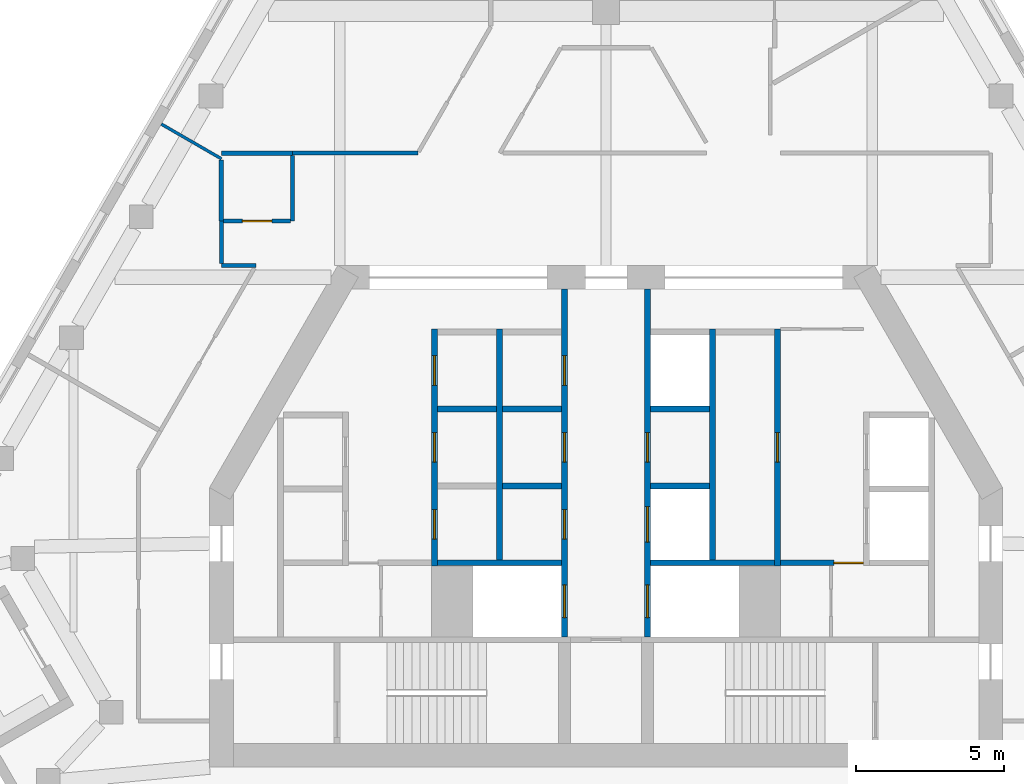
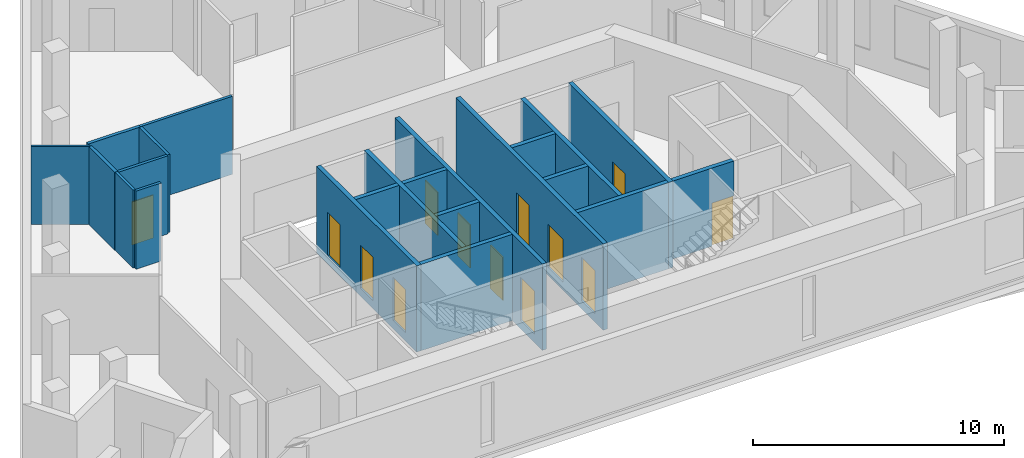
# One storey, part 3 of 8: 22 walls, 13 doors, 13 openings.
"""IFC4 building model written with IfcOpenShell, lengths in metres."""

import ifcopenshell
import ifcopenshell.guid

model = None  # the IFC model being written
_history = None  # IfcOwnerHistory: only IFC2X3 demands one
_inside = {}  # id of a spatial element -> (the spatial element, [elements in it])
_under = {}  # id of a project, library or spatial element -> (it, [spatial elements below it])
_declared = {}  # id of a project -> (the project, [libraries it declares])
_typed = {}  # id of a type object -> (the type object, [elements of that type])
_made_of = {}  # id of a material, layer set ... -> (it, [elements and type objects made of it])


def new_model(schema):
    """Start an empty IFC model of exactly this schema.

    Asked for "IFC4X3", IfcOpenShell would pick the latest addendum, in which some entities
    have other attributes; the version numbers below select the first issue.
    IFC2X3 requires an IfcOwnerHistory on every rooted entity: one is made here for all.
    """
    global model, _history
    if schema == "IFC4X3":
        model = ifcopenshell.file(schema_version=(4, 3, 0, 0))
    else:
        model = ifcopenshell.file(schema=schema)
    _inside.clear()
    _under.clear()
    _declared.clear()
    _typed.clear()
    _made_of.clear()
    _history = None
    if model.schema == "IFC2X3":
        org = make("IfcOrganization", Name="unknown")
        user = make(
            "IfcPersonAndOrganization",
            ThePerson=make("IfcPerson", FamilyName="unknown"),
            TheOrganization=org,
        )
        app = make(
            "IfcApplication",
            ApplicationDeveloper=org,
            Version="unknown",
            ApplicationFullName="unknown",
            ApplicationIdentifier="unknown",
        )
        _history = make(
            "IfcOwnerHistory",
            OwningUser=user,
            OwningApplication=app,
            ChangeAction="ADDED",
            CreationDate=0,
        )
    return model


def make(cls, **values):
    """One entity of the class cls with the attributes given. An attribute that is None is left unset."""
    return model.create_entity(
        cls, **{name: value for name, value in values.items() if value is not None}
    )


def rooted(cls, **values):
    """An entity with a GlobalId (a new one), such as an element, a storey or a relation."""
    return make(cls, GlobalId=ifcopenshell.guid.new(), OwnerHistory=_history, **values)


def si_unit(unit_type, name, prefix=None):
    """IfcSIUnit, for example si_unit("LENGTHUNIT", "METRE", prefix="MILLI")."""
    return make("IfcSIUnit", UnitType=unit_type, Prefix=prefix, Name=name)


def assignment(units):
    """IfcUnitAssignment: the units of a project."""
    return None if units is None else make("IfcUnitAssignment", Units=units)


def point(xyz):
    """IfcCartesianPoint."""
    return None if xyz is None else make("IfcCartesianPoint", Coordinates=xyz)


def direction(xyz):
    """IfcDirection."""
    return None if xyz is None else make("IfcDirection", DirectionRatios=xyz)


def frame(location, z_axis=None, x_axis=None):
    """IfcAxis2Placement3D, a coordinate frame: its origin and axes. An axis left out is left unset."""
    return make(
        "IfcAxis2Placement3D",
        Location=point(location),
        Axis=direction(z_axis),
        RefDirection=direction(x_axis),
    )


def frame_2d(location, x_axis=None):
    """IfcAxis2Placement2D, a coordinate frame in the plane: its origin and x axis."""
    return make(
        "IfcAxis2Placement2D", Location=point(location), RefDirection=direction(x_axis)
    )


def origin():
    """The frame at (0, 0, 0) with its axes left unset."""
    return frame((0.0, 0.0, 0.0))


def place(relative_to, where):
    """IfcLocalPlacement: puts the frame where relative to a parent placement (None: the world)."""
    return make(
        "IfcLocalPlacement", PlacementRelTo=relative_to, RelativePlacement=where
    )


def context(
    kind, dimensions, precision=None, world=None, true_north=None, identifier=None
):
    """IfcGeometricRepresentationContext, for example the 3D "Model" context."""
    return make(
        "IfcGeometricRepresentationContext",
        ContextIdentifier=identifier,
        ContextType=kind,
        CoordinateSpaceDimension=dimensions,
        Precision=precision,
        WorldCoordinateSystem=world,
        TrueNorth=true_north,
    )


def subcontext(parent, identifier, kind, view, scale=None):
    """IfcGeometricRepresentationSubContext, for example "Body" below "Model"."""
    return make(
        "IfcGeometricRepresentationSubContext",
        ContextIdentifier=identifier,
        ContextType=kind,
        ParentContext=parent,
        TargetScale=scale,
        TargetView=view,
    )


def project(units=None, contexts=None):
    """IfcProject with its units and contexts."""
    return rooted(
        "IfcProject",
        Name="project",
        RepresentationContexts=contexts,
        UnitsInContext=assignment(units),
    )


def spatial(cls, under=None, at=None, **own):
    """A site, building, storey or space (cls), placed at a placement, below another one or the project."""
    s = rooted(cls, ObjectPlacement=at, **own)
    if under is not None:
        _under.setdefault(under.id(), (under, []))[1].append(s)
    return s


def profile(cls, at=None, kind="AREA", **sizes):
    """A parametric profile (cls). Its sizes go by their IFC names, for example OverallWidth=200.0."""
    return make(cls, ProfileType=kind, Position=at, **sizes)


def rectangle(**sizes):
    """IfcRectangleProfileDef."""
    return profile("IfcRectangleProfileDef", **sizes)


def extrude(swept, where, along, depth):
    """IfcExtrudedAreaSolid: the profile swept, set in the frame where, extruded along a direction by depth."""
    return make(
        "IfcExtrudedAreaSolid",
        SweptArea=swept,
        Position=where,
        ExtrudedDirection=direction(along),
        Depth=depth,
    )


def shape(context_of_items, identifier, shape_type, items):
    """IfcShapeRepresentation: the items that make up one representation, for example the "Body"."""
    return make(
        "IfcShapeRepresentation",
        ContextOfItems=context_of_items,
        RepresentationIdentifier=identifier,
        RepresentationType=shape_type,
        Items=items,
    )


def material(Name=None, Category=None):
    """IfcMaterial."""
    return make("IfcMaterial", Name=Name, Category=Category)


def layer(
    of_material, thickness, ventilated=None, Name=None, Category=None, Priority=None
):
    """IfcMaterialLayer: one layer of a wall or slab, of a material (None: an air gap)."""
    return make(
        "IfcMaterialLayer",
        Material=of_material,
        LayerThickness=thickness,
        IsVentilated=ventilated,
        Name=Name,
        Category=Category,
        Priority=Priority,
    )


def layer_set(layers, Name=None):
    """IfcMaterialLayerSet."""
    return make("IfcMaterialLayerSet", MaterialLayers=layers, LayerSetName=Name)


def made_of(thing, what):
    """Note that an element or type object is made of a material, layer set ...; save() writes the relation."""
    if what is not None:
        _made_of.setdefault(what.id(), (what, []))[1].append(thing)
    return thing


def type_object(cls, material=None, **own):
    """A type object (cls), such as IfcWallType, which elements share."""
    return made_of(rooted(cls, **own), material)


def element(
    cls,
    number,
    at=None,
    inside=None,
    cuts=None,
    type_object=None,
    material=None,
    context=None,
    identifier="Body",
    shape_type=None,
    held_by="IfcProductDefinitionShape",
    body=None,
    shapes=None,
    **own,
):
    """One element of the class cls, such as IfcWall. Its Tag is "e" and its number.

    at: its placement. inside: the storey or other place that contains it. cuts: it is an
    opening in that element (IfcRelVoidsElement). A single representation is given by context,
    identifier, shape_type and body (its items); several are given by shapes. held_by: the class
    of the entity that holds the representations. save() writes the other relations.
    """
    e = rooted(cls, Tag="e%d" % number, ObjectPlacement=at, **own)
    if body is not None:
        shapes = [shape(context, identifier, shape_type, body)]
    if shapes is not None:
        e.Representation = make(held_by, Representations=shapes)
    if inside is not None:
        _inside.setdefault(inside.id(), (inside, []))[1].append(e)
    if cuts is not None:
        rooted(
            "IfcRelVoidsElement", RelatingBuildingElement=cuts, RelatedOpeningElement=e
        )
    if type_object is not None:
        _typed.setdefault(type_object.id(), (type_object, []))[1].append(e)
    return made_of(e, material)


def fill(opening, filler):
    """IfcRelFillsElement: the door or window that sits in an opening."""
    return rooted(
        "IfcRelFillsElement",
        RelatingOpeningElement=opening,
        RelatedBuildingElement=filler,
    )


def aggregate(whole, parts):
    """IfcRelAggregates: a whole, such as a stair, and the parts it consists of."""
    return rooted("IfcRelAggregates", RelatingObject=whole, RelatedObjects=parts)


def save(model, path):
    """Write the relations noted so far, then the file.

    IfcRelAggregates (storeys below a building ...), IfcRelContainedInSpatialStructure (elements
    in a storey), IfcRelDefinesByType, IfcRelAssociatesMaterial and IfcRelDeclares: one each for
    every whole, place, type object, material and project.
    """
    for whole, parts in _under.values():
        aggregate(whole, parts)
    for where, things in _inside.values():
        rooted(
            "IfcRelContainedInSpatialStructure",
            RelatedElements=things,
            RelatingStructure=where,
        )
    for kind, things in _typed.values():
        rooted("IfcRelDefinesByType", RelatedObjects=things, RelatingType=kind)
    for what, things in _made_of.values():
        rooted("IfcRelAssociatesMaterial", RelatedObjects=things, RelatingMaterial=what)
    for by, libraries in _declared.values():
        rooted("IfcRelDeclares", RelatingContext=by, RelatedDefinitions=libraries)
    model.write(path)


model = new_model("IFC4")

# Units and contexts
model_context = context("Model", 3, precision=1e-05, world=origin(), true_north=direction((0.0, 1.0)))
body_context = subcontext(model_context, "Body", "Model", "MODEL_VIEW")
ifc_project = project(units=[si_unit("LENGTHUNIT", "METRE"), si_unit("AREAUNIT", "SQUARE_METRE"), si_unit("VOLUMEUNIT", "CUBIC_METRE"), si_unit("PLANEANGLEUNIT", "RADIAN"), si_unit("MASSUNIT", "GRAM", prefix="KILO")], contexts=[model_context])

# Site, building, storey
site_placement = place(None, origin())
site = spatial("IfcSite", under=ifc_project, at=site_placement, CompositionType="ELEMENT")
building_placement = place(site_placement, origin())
building = spatial("IfcBuilding", under=site, at=building_placement, Name="Fogline Exchange Tower", CompositionType="ELEMENT")
storey_placement = place(building_placement, frame((0.0, 0.0, 322.5)))
storey = spatial("IfcBuildingStorey", under=building, at=storey_placement, Name="L73", CompositionType="ELEMENT", Elevation=322.5)

# Walls
ifc_material_1 = material(Name="Concrete C40", Category="concrete")
ifc_layer_1 = layer(ifc_material_1, 0.199951171875)
ifc_layer_set_1 = layer_set([ifc_layer_1], Name="CW20")
wall_type_1 = type_object("IfcWallType", Name="CW20", PredefinedType="SOLIDWALL", material=ifc_layer_set_1)
for number, where, z_axis, x_axis, name in (
    (1, (-5.699951171875, 13.550048828125, 0.0), (0.0, 0.0, 1.0), (1.0, 0.0, 0.0), "Service room wall"),
    (2, (-3.5, 10.949951171875, 0.0), (0.0, 0.0, 1.0), (1.0, 0.0, 0.0), "Service room wall"),
    (3, (-3.5, 13.550048828125, 0.0), (0.0, 0.0, 1.0), (1.0, 0.0, 0.0), "Service room wall"),
):
    element("IfcWall", number, at=place(storey_placement, frame(where, z_axis=z_axis, x_axis=x_axis)), inside=storey, type_object=wall_type_1, Name=name, PredefinedType="SOLIDWALL", context=body_context, shape_type="SweptSolid", body=[
        extrude(rectangle(XDim=2.0, YDim=0.199951171875, at=frame_2d((1.0, 0.0))), origin(), (0.0, 0.0, 1.0), 3.800048828125),
    ])

# Wall, opening, door
wall_1_placement = place(storey_placement, frame((5.89990234375, 8.35009765625, 0.0), z_axis=(0.0, 0.0, 1.0), x_axis=(1.0, 0.0, 0.0)))
wall_1 = element("IfcWall", 4, at=wall_1_placement, inside=storey, type_object=wall_type_1, Name="WC wall", PredefinedType="SOLIDWALL", context=body_context, shape_type="SweptSolid", body=[
    extrude(rectangle(XDim=2.800048828125, YDim=0.199951171875, at=frame_2d((1.39990234375, 0.0))), origin(), (0.0, 0.0, 1.0), 3.800048828125),
])
opening_1_placement = place(wall_1_placement, frame((1.800048828125, 0.0, 0.0)))
opening_1 = element("IfcOpeningElement", 5, at=opening_1_placement, cuts=wall_1, Name="Opening T23-C018", PredefinedType="OPENING", context=body_context, shape_type="SweptSolid", body=[
    extrude(rectangle(XDim=1.0, YDim=2.10009765625, at=frame_2d((0.5, 1.050048828125))), frame((0.0, 0.10986328125, 0.0), z_axis=(0.0, -1.0, 0.0), x_axis=(1.0, 0.0, 0.0)), (0.0, 0.0, 1.0), 0.219970703125),
])
ifc_material_2 = material(Name="Steel and timber fire door", Category="steel")
door_type_1 = type_object("IfcDoorType", Name="D-WC1", OperationType="SINGLE_SWING_LEFT", PredefinedType="DOOR", material=ifc_material_2)
door_1_placement = place(opening_1_placement, frame((1.0, 0.0, 0.0), z_axis=(0.0, 0.0, 1.0), x_axis=(-1.0, 0.0, 0.0)))
door_1 = element("IfcDoor", 6, at=door_1_placement, inside=storey, type_object=door_type_1, Name="Door to Women's WC", OperationType="SINGLE_SWING_LEFT", OverallHeight=2.10009765625, OverallWidth=1.0, PredefinedType="DOOR", context=body_context, shape_type="SweptSolid", body=[
    extrude(rectangle(XDim=1.0, YDim=2.10009765625, at=frame_2d((0.5, 1.050048828125))), frame((0.0, 0.02490234375, 0.0), z_axis=(0.0, -1.0, 0.0), x_axis=(1.0, 0.0, 0.0)), (0.0, 0.0, 1.0), 0.050048828125),
])
fill(opening_1, door_1)

# Wall, openings, doors
ifc_layer_2 = layer(ifc_material_1, 0.199951171875)
ifc_layer_set_2 = layer_set([ifc_layer_2], Name="CW20S")
wall_type_2 = type_object("IfcWallType", Name="CW20S", PredefinedType="SOLIDWALL", material=ifc_layer_set_2)
wall_2_placement = place(storey_placement, frame((-5.800048828125, 8.25, -0.39990234375), z_axis=(0.0, 0.0, 1.0), x_axis=(0.0, 1.0, 0.0)))
wall_2 = element("IfcWall", 7, at=wall_2_placement, inside=storey, type_object=wall_type_2, Name="Lift shaft wall", PredefinedType="SOLIDWALL", context=body_context, shape_type="SweptSolid", body=[
    extrude(rectangle(XDim=8.0, YDim=0.199951171875, at=frame_2d((4.0, 0.0))), origin(), (0.0, 0.0, 1.0), 4.199951171875),
])
opening_2_placement = place(wall_2_placement, frame((0.89990234375, 0.0, 0.39990234375)))
opening_2 = element("IfcOpeningElement", 8, at=opening_2_placement, cuts=wall_2, Name="Opening T23-C003", PredefinedType="OPENING", context=body_context, shape_type="SweptSolid", body=[
    extrude(rectangle(XDim=1.0, YDim=2.10009765625, at=frame_2d((0.5, 1.050048828125))), frame((0.0, 0.10986328125, 0.0), z_axis=(0.0, -1.0, 0.0), x_axis=(1.0, 0.0, 0.0)), (0.0, 0.0, 1.0), 0.219970703125),
])
opening_3_placement = place(wall_2_placement, frame((3.5, 0.0, 0.39990234375)))
opening_3 = element("IfcOpeningElement", 9, at=opening_3_placement, cuts=wall_2, Name="Opening T23-C004", PredefinedType="OPENING", context=body_context, shape_type="SweptSolid", body=[
    extrude(rectangle(XDim=1.0, YDim=2.10009765625, at=frame_2d((0.5, 1.050048828125))), frame((0.0, 0.10986328125, 0.0), z_axis=(0.0, -1.0, 0.0), x_axis=(1.0, 0.0, 0.0)), (0.0, 0.0, 1.0), 0.219970703125),
])
opening_4_placement = place(wall_2_placement, frame((6.10009765625, 0.0, 0.39990234375)))
opening_4 = element("IfcOpeningElement", 10, at=opening_4_placement, cuts=wall_2, Name="Opening T23-C005", PredefinedType="OPENING", context=body_context, shape_type="SweptSolid", body=[
    extrude(rectangle(XDim=1.0, YDim=2.10009765625, at=frame_2d((0.5, 1.050048828125))), frame((0.0, 0.10986328125, 0.0), z_axis=(0.0, -1.0, 0.0), x_axis=(1.0, 0.0, 0.0)), (0.0, 0.0, 1.0), 0.219970703125),
])
door_type_2 = type_object("IfcDoorType", Name="D-RM1", OperationType="SINGLE_SWING_LEFT", PredefinedType="DOOR", material=ifc_material_2)
door_2_placement = place(opening_2_placement, frame((1.0, 0.0, 0.0), z_axis=(0.0, 0.0, 1.0), x_axis=(-1.0, 0.0, 0.0)))
door_2 = element("IfcDoor", 11, at=door_2_placement, inside=storey, type_object=door_type_2, Name="Door to Cable Store", OperationType="SINGLE_SWING_LEFT", OverallHeight=2.10009765625, OverallWidth=1.0, PredefinedType="DOOR", context=body_context, shape_type="SweptSolid", body=[
    extrude(rectangle(XDim=1.0, YDim=2.10009765625, at=frame_2d((0.5, 1.050048828125))), frame((0.0, 0.02490234375, 0.0), z_axis=(0.0, -1.0, 0.0), x_axis=(1.0, 0.0, 0.0)), (0.0, 0.0, 1.0), 0.050048828125),
])
fill(opening_2, door_2)
door_3_placement = place(opening_3_placement, frame((1.0, 0.0, 0.0), z_axis=(0.0, 0.0, 1.0), x_axis=(-1.0, 0.0, 0.0)))
door_3 = element("IfcDoor", 12, at=door_3_placement, inside=storey, type_object=door_type_2, Name="Door to Server Room", OperationType="SINGLE_SWING_RIGHT", OverallHeight=2.10009765625, OverallWidth=1.0, PredefinedType="DOOR", context=body_context, shape_type="SweptSolid", body=[
    extrude(rectangle(XDim=1.0, YDim=2.10009765625, at=frame_2d((0.5, 1.050048828125))), frame((0.0, 0.02490234375, 0.0), z_axis=(0.0, -1.0, 0.0), x_axis=(1.0, 0.0, 0.0)), (0.0, 0.0, 1.0), 0.050048828125),
])
fill(opening_3, door_3)
door_4_placement = place(opening_4_placement, frame((1.0, 0.0, 0.0), z_axis=(0.0, 0.0, 1.0), x_axis=(-1.0, 0.0, 0.0)))
door_4 = element("IfcDoor", 13, at=door_4_placement, inside=storey, type_object=door_type_2, Name="Door to Archive Store", OperationType="SINGLE_SWING_RIGHT", OverallHeight=2.10009765625, OverallWidth=1.0, PredefinedType="DOOR", context=body_context, shape_type="SweptSolid", body=[
    extrude(rectangle(XDim=1.0, YDim=2.10009765625, at=frame_2d((0.5, 1.050048828125))), frame((0.0, 0.02490234375, 0.0), z_axis=(0.0, -1.0, 0.0), x_axis=(1.0, 0.0, 0.0)), (0.0, 0.0, 1.0), 0.050048828125),
])
fill(opening_4, door_4)

# Wall, opening, door
wall_3_placement = place(storey_placement, frame((5.800048828125, 8.25, -0.39990234375), z_axis=(0.0, 0.0, 1.0), x_axis=(0.0, 1.0, 0.0)))
wall_3 = element("IfcWall", 14, at=wall_3_placement, inside=storey, type_object=wall_type_2, Name="Lift shaft wall", PredefinedType="SOLIDWALL", context=body_context, shape_type="SweptSolid", body=[
    extrude(rectangle(XDim=8.0, YDim=0.199951171875, at=frame_2d((4.0, 0.0))), origin(), (0.0, 0.0, 1.0), 4.199951171875),
])
opening_5_placement = place(wall_3_placement, frame((3.5, 0.0, 0.39990234375)))
opening_5 = element("IfcOpeningElement", 15, at=opening_5_placement, cuts=wall_3, Name="Opening T23-C009", PredefinedType="OPENING", context=body_context, shape_type="SweptSolid", body=[
    extrude(rectangle(XDim=1.0, YDim=2.10009765625, at=frame_2d((0.5, 1.050048828125))), frame((0.0, 0.10986328125, 0.0), z_axis=(0.0, -1.0, 0.0), x_axis=(1.0, 0.0, 0.0)), (0.0, 0.0, 1.0), 0.219970703125),
])
door_5_placement = place(opening_5_placement, origin())
door_5 = element("IfcDoor", 16, at=door_5_placement, inside=storey, type_object=door_type_2, Name="Door to Pantry", OperationType="SINGLE_SWING_LEFT", OverallHeight=2.10009765625, OverallWidth=1.0, PredefinedType="DOOR", context=body_context, shape_type="SweptSolid", body=[
    extrude(rectangle(XDim=1.0, YDim=2.10009765625, at=frame_2d((0.5, 1.050048828125))), frame((0.0, 0.02490234375, 0.0), z_axis=(0.0, -1.0, 0.0), x_axis=(1.0, 0.0, 0.0)), (0.0, 0.0, 1.0), 0.050048828125),
])
fill(opening_5, door_5)

# Walls
for number, where, z_axis, x_axis, name in (
    (17, (-3.60009765625, 8.449951171875, -0.39990234375), (0.0, 0.0, 1.0), (0.0, 1.0, 0.0), "Lift shaft wall"),
    (18, (3.60009765625, 8.449951171875, -0.39990234375), (0.0, 0.0, 1.0), (0.0, 1.0, 0.0), "Lift shaft wall"),
):
    element("IfcWall", number, at=place(storey_placement, frame(where, z_axis=z_axis, x_axis=x_axis)), inside=storey, type_object=wall_type_2, Name=name, PredefinedType="SOLIDWALL", context=body_context, shape_type="SweptSolid", body=[
        extrude(rectangle(XDim=7.800048828125, YDim=0.199951171875, at=frame_2d((3.89990234375, 0.0))), origin(), (0.0, 0.0, 1.0), 4.199951171875),
    ])

# Wall, openings, doors
wall_4_placement = place(storey_placement, frame((-1.39990234375, 5.85009765625, -0.39990234375), z_axis=(0.0, 0.0, 1.0), x_axis=(0.0, 1.0, 0.0)))
wall_4 = element("IfcWall", 19, at=wall_4_placement, inside=storey, type_object=wall_type_2, Name="Lift lobby wall", PredefinedType="SOLIDWALL", context=body_context, shape_type="SweptSolid", body=[
    extrude(rectangle(XDim=11.75, YDim=0.199951171875, at=frame_2d((5.875, 0.0))), origin(), (0.0, 0.0, 1.0), 4.199951171875),
])
opening_6_placement = place(wall_4_placement, frame((0.64990234375, 0.0, 0.39990234375)))
opening_6 = element("IfcOpeningElement", 20, at=opening_6_placement, cuts=wall_4, Name="Opening T23-LD01", PredefinedType="OPENING", context=body_context, shape_type="SweptSolid", body=[
    extrude(rectangle(XDim=1.10009765625, YDim=2.10009765625, at=frame_2d((0.550048828125, 1.050048828125))), frame((0.0, 0.10986328125, 0.0), z_axis=(0.0, -1.0, 0.0), x_axis=(1.0, 0.0, 0.0)), (0.0, 0.0, 1.0), 0.219970703125),
])
opening_7_placement = place(wall_4_placement, frame((3.300048828125, 0.0, 0.39990234375)))
opening_7 = element("IfcOpeningElement", 21, at=opening_7_placement, cuts=wall_4, Name="Opening T23-C006", PredefinedType="OPENING", context=body_context, shape_type="SweptSolid", body=[
    extrude(rectangle(XDim=1.0, YDim=2.10009765625, at=frame_2d((0.5, 1.050048828125))), frame((0.0, 0.10986328125, 0.0), z_axis=(0.0, -1.0, 0.0), x_axis=(1.0, 0.0, 0.0)), (0.0, 0.0, 1.0), 0.219970703125),
])
opening_8_placement = place(wall_4_placement, frame((5.89990234375, 0.0, 0.39990234375)))
opening_8 = element("IfcOpeningElement", 22, at=opening_8_placement, cuts=wall_4, Name="Opening T23-C007", PredefinedType="OPENING", context=body_context, shape_type="SweptSolid", body=[
    extrude(rectangle(XDim=1.0, YDim=2.10009765625, at=frame_2d((0.5, 1.050048828125))), frame((0.0, 0.10986328125, 0.0), z_axis=(0.0, -1.0, 0.0), x_axis=(1.0, 0.0, 0.0)), (0.0, 0.0, 1.0), 0.219970703125),
])
opening_9_placement = place(wall_4_placement, frame((8.5, 0.0, 0.39990234375)))
opening_9 = element("IfcOpeningElement", 23, at=opening_9_placement, cuts=wall_4, Name="Opening T23-C008", PredefinedType="OPENING", context=body_context, shape_type="SweptSolid", body=[
    extrude(rectangle(XDim=1.0, YDim=2.10009765625, at=frame_2d((0.5, 1.050048828125))), frame((0.0, 0.10986328125, 0.0), z_axis=(0.0, -1.0, 0.0), x_axis=(1.0, 0.0, 0.0)), (0.0, 0.0, 1.0), 0.219970703125),
])
door_6_placement = place(opening_7_placement, origin())
door_6 = element("IfcDoor", 24, at=door_6_placement, inside=storey, type_object=door_type_2, Name="Door to Library Store", OperationType="SINGLE_SWING_LEFT", OverallHeight=2.10009765625, OverallWidth=1.0, PredefinedType="DOOR", context=body_context, shape_type="SweptSolid", body=[
    extrude(rectangle(XDim=1.0, YDim=2.10009765625, at=frame_2d((0.5, 1.050048828125))), frame((0.0, 0.02490234375, 0.0), z_axis=(0.0, -1.0, 0.0), x_axis=(1.0, 0.0, 0.0)), (0.0, 0.0, 1.0), 0.050048828125),
])
fill(opening_7, door_6)
door_7_placement = place(opening_8_placement, origin())
door_7 = element("IfcDoor", 25, at=door_7_placement, inside=storey, type_object=door_type_2, Name="Door to Stationery Store", OperationType="SINGLE_SWING_LEFT", OverallHeight=2.10009765625, OverallWidth=1.0, PredefinedType="DOOR", context=body_context, shape_type="SweptSolid", body=[
    extrude(rectangle(XDim=1.0, YDim=2.10009765625, at=frame_2d((0.5, 1.050048828125))), frame((0.0, 0.02490234375, 0.0), z_axis=(0.0, -1.0, 0.0), x_axis=(1.0, 0.0, 0.0)), (0.0, 0.0, 1.0), 0.050048828125),
])
fill(opening_8, door_7)
door_8_placement = place(opening_9_placement, origin())
door_8 = element("IfcDoor", 26, at=door_8_placement, inside=storey, type_object=door_type_2, Name="Door to Records Store", OperationType="SINGLE_SWING_LEFT", OverallHeight=2.10009765625, OverallWidth=1.0, PredefinedType="DOOR", context=body_context, shape_type="SweptSolid", body=[
    extrude(rectangle(XDim=1.0, YDim=2.10009765625, at=frame_2d((0.5, 1.050048828125))), frame((0.0, 0.02490234375, 0.0), z_axis=(0.0, -1.0, 0.0), x_axis=(1.0, 0.0, 0.0)), (0.0, 0.0, 1.0), 0.050048828125),
])
fill(opening_9, door_8)
door_type_3 = type_object("IfcDoorType", Name="LD2", OperationType="SLIDING_TO_RIGHT", PredefinedType="DOOR", material=ifc_material_2)
door_9_placement = place(opening_6_placement, origin())
door_9 = element("IfcDoor", 27, at=door_9_placement, inside=storey, type_object=door_type_3, Name="Landing door FF1", OperationType="SLIDING_TO_RIGHT", OverallHeight=2.10009765625, OverallWidth=1.10009765625, PredefinedType="DOOR", context=body_context, shape_type="SweptSolid", body=[
    extrude(rectangle(XDim=1.10009765625, YDim=2.10009765625, at=frame_2d((0.550048828125, 1.050048828125))), frame((0.0, 0.02490234375, 0.0), z_axis=(0.0, -1.0, 0.0), x_axis=(1.0, 0.0, 0.0)), (0.0, 0.0, 1.0), 0.050048828125),
])
fill(opening_6, door_9)

wall_5_placement = place(storey_placement, frame((1.39990234375, 5.85009765625, -0.39990234375), z_axis=(0.0, 0.0, 1.0), x_axis=(0.0, 1.0, 0.0)))
wall_5 = element("IfcWall", 28, at=wall_5_placement, inside=storey, type_object=wall_type_2, Name="Lift lobby wall", PredefinedType="SOLIDWALL", context=body_context, shape_type="SweptSolid", body=[
    extrude(rectangle(XDim=11.75, YDim=0.199951171875, at=frame_2d((5.875, 0.0))), origin(), (0.0, 0.0, 1.0), 4.199951171875),
])
opening_10_placement = place(wall_5_placement, frame((3.199951171875, 0.0, 0.39990234375)))
opening_10 = element("IfcOpeningElement", 29, at=opening_10_placement, cuts=wall_5, Name="Opening T23-LD04", PredefinedType="OPENING", context=body_context, shape_type="SweptSolid", body=[
    extrude(rectangle(XDim=1.199951171875, YDim=2.10009765625, at=frame_2d((0.60009765625, 1.050048828125))), frame((0.0, 0.10986328125, 0.0), z_axis=(0.0, -1.0, 0.0), x_axis=(1.0, 0.0, 0.0)), (0.0, 0.0, 1.0), 0.219970703125),
])
opening_11_placement = place(wall_5_placement, frame((0.64990234375, 0.0, 0.39990234375)))
opening_11 = element("IfcOpeningElement", 30, at=opening_11_placement, cuts=wall_5, Name="Opening T23-LD05", PredefinedType="OPENING", context=body_context, shape_type="SweptSolid", body=[
    extrude(rectangle(XDim=1.10009765625, YDim=2.10009765625, at=frame_2d((0.550048828125, 1.050048828125))), frame((0.0, 0.10986328125, 0.0), z_axis=(0.0, -1.0, 0.0), x_axis=(1.0, 0.0, 0.0)), (0.0, 0.0, 1.0), 0.219970703125),
])
opening_12_placement = place(wall_5_placement, frame((5.89990234375, 0.0, 0.39990234375)))
opening_12 = element("IfcOpeningElement", 31, at=opening_12_placement, cuts=wall_5, Name="Opening T23-C010", PredefinedType="OPENING", context=body_context, shape_type="SweptSolid", body=[
    extrude(rectangle(XDim=1.0, YDim=2.10009765625, at=frame_2d((0.5, 1.050048828125))), frame((0.0, 0.10986328125, 0.0), z_axis=(0.0, -1.0, 0.0), x_axis=(1.0, 0.0, 0.0)), (0.0, 0.0, 1.0), 0.219970703125),
])
door_10_placement = place(opening_12_placement, frame((1.0, 0.0, 0.0), z_axis=(0.0, 0.0, 1.0), x_axis=(-1.0, 0.0, 0.0)))
door_10 = element("IfcDoor", 32, at=door_10_placement, inside=storey, type_object=door_type_2, Name="Door to Archive Store", OperationType="SINGLE_SWING_RIGHT", OverallHeight=2.10009765625, OverallWidth=1.0, PredefinedType="DOOR", context=body_context, shape_type="SweptSolid", body=[
    extrude(rectangle(XDim=1.0, YDim=2.10009765625, at=frame_2d((0.5, 1.050048828125))), frame((0.0, 0.02490234375, 0.0), z_axis=(0.0, -1.0, 0.0), x_axis=(1.0, 0.0, 0.0)), (0.0, 0.0, 1.0), 0.050048828125),
])
fill(opening_12, door_10)
door_type_4 = type_object("IfcDoorType", Name="LD1", OperationType="SLIDING_TO_LEFT", PredefinedType="DOOR", material=ifc_material_2)
door_11_placement = place(opening_10_placement, origin())
door_11 = element("IfcDoor", 33, at=door_11_placement, inside=storey, type_object=door_type_4, Name="Landing door HR3", OperationType="SLIDING_TO_LEFT", OverallHeight=2.10009765625, OverallWidth=1.199951171875, PredefinedType="DOOR", context=body_context, shape_type="SweptSolid", body=[
    extrude(rectangle(XDim=1.199951171875, YDim=2.10009765625, at=frame_2d((0.60009765625, 1.050048828125))), frame((0.0, 0.02490234375, 0.0), z_axis=(0.0, -1.0, 0.0), x_axis=(1.0, 0.0, 0.0)), (0.0, 0.0, 1.0), 0.050048828125),
])
fill(opening_10, door_11)
door_12_placement = place(opening_11_placement, origin())
door_12 = element("IfcDoor", 34, at=door_12_placement, inside=storey, type_object=door_type_3, Name="Landing door FF2", OperationType="SLIDING_TO_RIGHT", OverallHeight=2.10009765625, OverallWidth=1.10009765625, PredefinedType="DOOR", context=body_context, shape_type="SweptSolid", body=[
    extrude(rectangle(XDim=1.10009765625, YDim=2.10009765625, at=frame_2d((0.550048828125, 1.050048828125))), frame((0.0, 0.02490234375, 0.0), z_axis=(0.0, -1.0, 0.0), x_axis=(1.0, 0.0, 0.0)), (0.0, 0.0, 1.0), 0.050048828125),
])
fill(opening_11, door_12)

# Walls
for number, where, z_axis, x_axis, name in (
    (35, (-5.699951171875, 8.35009765625, -0.39990234375), (0.0, 0.0, 1.0), (1.0, 0.0, 0.0), "Lift shaft wall"),
    (36, (1.5, 8.35009765625, -0.39990234375), (0.0, 0.0, 1.0), (1.0, 0.0, 0.0), "Lift shaft wall"),
):
    element("IfcWall", number, at=place(storey_placement, frame(where, z_axis=z_axis, x_axis=x_axis)), inside=storey, type_object=wall_type_2, Name=name, PredefinedType="SOLIDWALL", context=body_context, shape_type="SweptSolid", body=[
        extrude(rectangle(XDim=4.199951171875, YDim=0.199951171875, at=frame_2d((2.10009765625, 0.0))), origin(), (0.0, 0.0, 1.0), 4.199951171875),
    ])
for number, where, z_axis, x_axis, name in (
    (37, (1.5, 10.949951171875, -0.39990234375), (0.0, 0.0, 1.0), (1.0, 0.0, 0.0), "Lift shaft wall"),
    (38, (1.5, 13.550048828125, -0.39990234375), (0.0, 0.0, 1.0), (1.0, 0.0, 0.0), "Lift shaft wall"),
):
    element("IfcWall", number, at=place(storey_placement, frame(where, z_axis=z_axis, x_axis=x_axis)), inside=storey, type_object=wall_type_2, Name=name, PredefinedType="SOLIDWALL", context=body_context, shape_type="SweptSolid", body=[
        extrude(rectangle(XDim=2.0, YDim=0.199951171875, at=frame_2d((1.0, 0.0))), origin(), (0.0, 0.0, 1.0), 4.199951171875),
    ])
ifc_material_3 = material(Name="Plasterboard partition, 2 layers each side on steel studs", Category="steel")
ifc_layer_3 = layer(ifc_material_3, 0.10009765625)
ifc_layer_set_3 = layer_set([ifc_layer_3], Name="PW1")
wall_type_3 = type_object("IfcWallType", Name="PW1", PredefinedType="PARTITIONING", material=ifc_layer_set_3)
wall_6_placement = place(storey_placement, frame((-13.0, 22.005615234375, 0.0), z_axis=(0.0, 0.0, 1.0), x_axis=(-0.866000222833, 0.500043612151, 0.0)))
element("IfcWall", 39, at=wall_6_placement, inside=storey, type_object=wall_type_3, Name="wall-L73-W034", PredefinedType="PARTITIONING", context=body_context, shape_type="SweptSolid", body=[
    extrude(rectangle(XDim=2.346923828125, YDim=0.10009765625, at=frame_2d((1.17333984375, 0.0))), origin(), (0.0, 0.0, 1.0), 3.800048828125),
])
ifc_material_4 = material(Name="Plasterboard corridor partition with mineral wool, 2 layers each side")
ifc_layer_4 = layer(ifc_material_4, 0.125)
ifc_layer_set_4 = layer_set([ifc_layer_4], Name="PW2")
wall_type_4 = type_object("IfcWallType", Name="PW2", PredefinedType="PARTITIONING", material=ifc_layer_set_4)
wall_7_placement = place(storey_placement, frame((-10.60009765625, 22.199951171875, 0.0), z_axis=(0.0, 0.0, 1.0), x_axis=(1.0, 0.0, 0.0)))
element("IfcWall", 40, at=wall_7_placement, inside=storey, type_object=wall_type_4, Name="wall-L73-W009", PredefinedType="PARTITIONING", context=body_context, shape_type="SweptSolid", body=[
    extrude(rectangle(XDim=4.239990234375, YDim=0.125, at=frame_2d((2.1201171875, 0.0))), origin(), (0.0, 0.0, 1.0), 3.800048828125),
])

# Wall, opening, door
wall_8_placement = place(storey_placement, frame((-12.925048828125, 19.89990234375, 0.0), z_axis=(0.0, 0.0, 1.0), x_axis=(1.0, 0.0, 0.0)))
wall_8 = element("IfcWall", 41, at=wall_8_placement, inside=storey, type_object=wall_type_4, Name="wall-L73-W010", PredefinedType="PARTITIONING", context=body_context, shape_type="SweptSolid", body=[
    extrude(rectangle(XDim=2.262451171875, YDim=0.125, at=frame_2d((1.13134765625, 0.0))), origin(), (0.0, 0.0, 1.0), 3.800048828125),
])
opening_13_placement = place(wall_8_placement, frame((0.63134765625, 0.0, 0.0)))
opening_13 = element("IfcOpeningElement", 42, at=opening_13_placement, cuts=wall_8, Name="Opening T23-D003", PredefinedType="OPENING", context=body_context, shape_type="SweptSolid", body=[
    extrude(rectangle(XDim=1.0, YDim=2.10009765625, at=frame_2d((0.5, 1.050048828125))), frame((0.0, 0.072509765625, 0.0), z_axis=(0.0, -1.0, 0.0), x_axis=(1.0, 0.0, 0.0)), (0.0, 0.0, 1.0), 0.14501953125),
])
ifc_material_5 = material(Name="Fire-rated timber door leaf with steel frame", Category="steel")
door_type_5 = type_object("IfcDoorType", Name="D3", OperationType="SINGLE_SWING_LEFT", PredefinedType="DOOR", material=ifc_material_5)
door_13_placement = place(opening_13_placement, origin())
door_13 = element("IfcDoor", 43, at=door_13_placement, inside=storey, type_object=door_type_5, Name="door-L73-D003", OperationType="SINGLE_SWING_LEFT", OverallHeight=2.10009765625, OverallWidth=1.0, PredefinedType="DOOR", context=body_context, shape_type="SweptSolid", body=[
    extrude(rectangle(XDim=1.0, YDim=2.10009765625, at=frame_2d((0.5, 1.050048828125))), frame((0.0, 0.02490234375, 0.0), z_axis=(0.0, -1.0, 0.0), x_axis=(1.0, 0.0, 0.0)), (0.0, 0.0, 1.0), 0.050048828125),
])
fill(opening_13, door_13)

# Walls
wall_9_placement = place(storey_placement, frame((-10.60009765625, 19.89990234375, 0.0), z_axis=(0.0, 0.0, 1.0), x_axis=(0.0, 1.0, 0.0)))
element("IfcWall", 44, at=wall_9_placement, inside=storey, type_object=wall_type_4, Name="wall-L73-W011", PredefinedType="PARTITIONING", context=body_context, shape_type="SweptSolid", body=[
    extrude(rectangle(XDim=2.224609375, YDim=0.125, at=frame_2d((1.1123046875, 0.0))), origin(), (0.0, 0.0, 1.0), 3.800048828125),
])
wall_10_placement = place(storey_placement, frame((-11.83642578125, 18.39990234375, 0.0), z_axis=(0.0, 0.0, 1.0), x_axis=(-1.0, 0.0, 0.0)))
element("IfcWall", 45, at=wall_10_placement, inside=storey, type_object=wall_type_4, Name="wall-L73-W012", PredefinedType="PARTITIONING", context=body_context, shape_type="SweptSolid", body=[
    extrude(rectangle(XDim=1.16357421875, YDim=0.125, at=frame_2d((0.581787109375, 0.0))), origin(), (0.0, 0.0, 1.0), 3.800048828125),
])
wall_11_placement = place(storey_placement, frame((-13.0, 18.46240234375, 0.0), z_axis=(0.0, 0.0, 1.0), x_axis=(0.0, 1.0, 0.0)))
element("IfcWall", 46, at=wall_11_placement, inside=storey, type_object=wall_type_4, Name="wall-L73-W013", PredefinedType="PARTITIONING", context=body_context, shape_type="SweptSolid", body=[
    extrude(rectangle(XDim=1.4375, YDim=0.125, at=frame_2d((0.71875, 0.0))), origin(), (0.0, 0.0, 1.0), 3.800048828125),
])
ifc_material_6 = material(Name="Plasterboard demising partition with mineral wool and acoustic board")
ifc_layer_5 = layer(ifc_material_6, 0.14990234375)
ifc_layer_set_5 = layer_set([ifc_layer_5], Name="PW3")
wall_type_5 = type_object("IfcWallType", Name="PW3", PredefinedType="PARTITIONING", material=ifc_layer_set_5)
wall_12_placement = place(storey_placement, frame((-10.60009765625, 22.199951171875, 0.0), z_axis=(0.0, 0.0, 1.0), x_axis=(-1.0, 0.0, 0.0)))
element("IfcWall", 47, at=wall_12_placement, inside=storey, type_object=wall_type_5, Name="wall-L73-W033", PredefinedType="PARTITIONING", context=body_context, shape_type="SweptSolid", body=[
    extrude(rectangle(XDim=2.39990234375, YDim=0.14990234375, at=frame_2d((1.199951171875, 0.0))), origin(), (0.0, 0.0, 1.0), 3.800048828125),
])
wall_13_placement = place(storey_placement, frame((-13.0, 19.89990234375, 0.0), z_axis=(0.0, 0.0, 1.0), x_axis=(0.0, 1.0, 0.0)))
element("IfcWall", 48, at=wall_13_placement, inside=storey, type_object=wall_type_5, Name="wall-L73-W035", PredefinedType="PARTITIONING", context=body_context, shape_type="SweptSolid", body=[
    extrude(rectangle(XDim=2.062744140625, YDim=0.14990234375, at=frame_2d((1.03125, 0.0))), origin(), (0.0, 0.0, 1.0), 3.800048828125),
])

save(model, "model.ifc")
